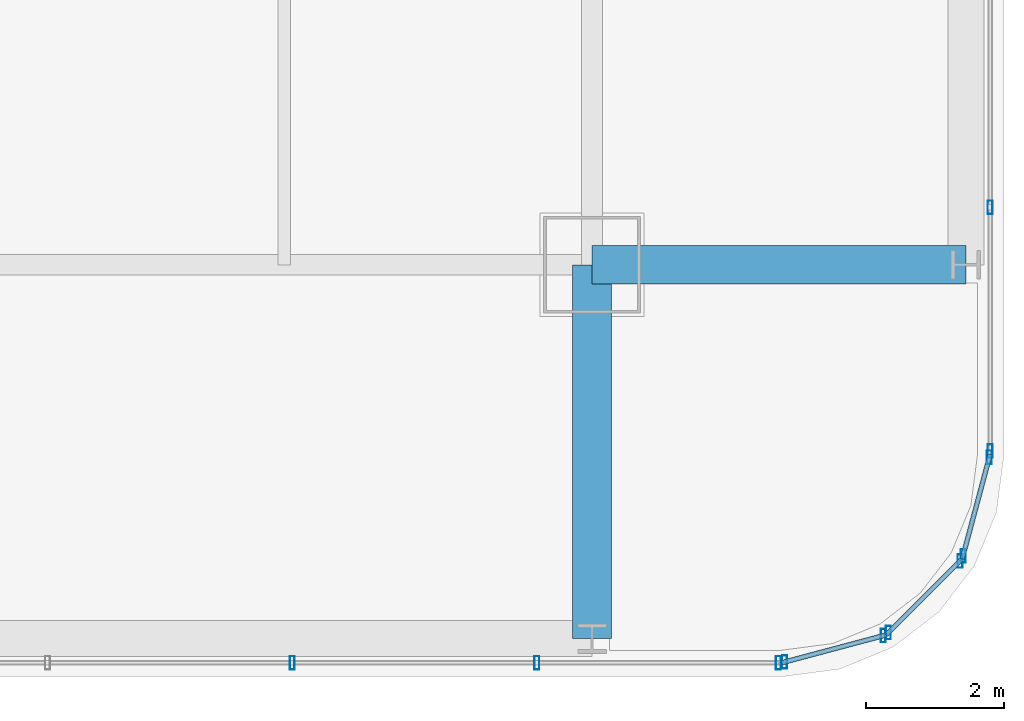
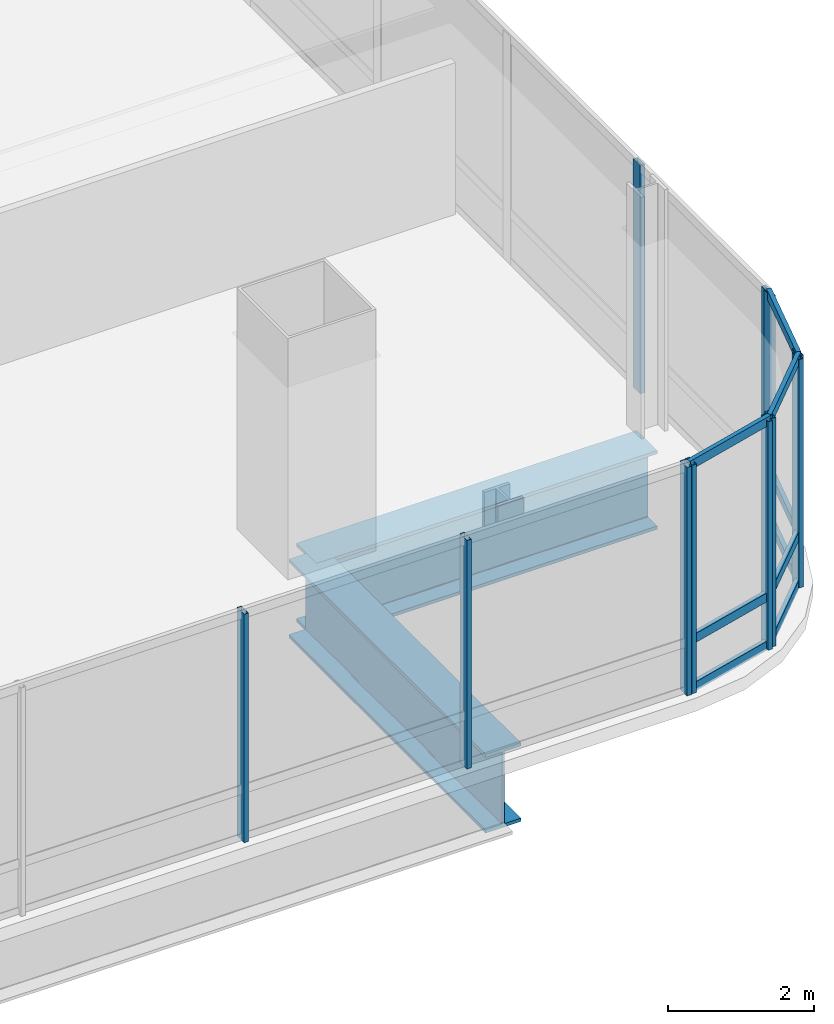
# One storey, part 13 of 36: 20 members, 2 beams, 5 elements without a shape of their own.
"""IFC4 building model written with IfcOpenShell, lengths in metres."""

from ifc_helpers import new_model, si_unit, direction, frame, origin, origin_2d, place, context, subcontext, project, spatial, hollow_rectangle, i_section, extrude, material, material_profile, profile_set, type_object, element, aggregate, save


model = new_model("IFC4")

# Units and contexts
model_context = context("Model", 3, precision=1e-05, world=origin(), true_north=direction((0.0, 1.0)))
body_context = subcontext(model_context, "Body", "Model", "MODEL_VIEW")
ifc_project = project(units=[si_unit("LENGTHUNIT", "METRE"), si_unit("AREAUNIT", "SQUARE_METRE"), si_unit("VOLUMEUNIT", "CUBIC_METRE"), si_unit("PLANEANGLEUNIT", "RADIAN"), si_unit("MASSUNIT", "GRAM", prefix="KILO")], contexts=[model_context])

# Site, building, storey
site_placement = place(None, origin())
site = spatial("IfcSite", under=ifc_project, at=site_placement, CompositionType="ELEMENT")
building_placement = place(site_placement, origin())
building = spatial("IfcBuilding", under=site, at=building_placement, Name="Punatoya Terracotta Tower", CompositionType="ELEMENT")
storey_placement = place(building_placement, frame((0.0, 0.0, 212.699951171875)))
storey = spatial("IfcBuildingStorey", under=building, at=storey_placement, Name="L50", CompositionType="ELEMENT", Elevation=212.699951171875)

# Beams
ifc_material_1 = material(Name="Steel S460", Category="steel")
ifc_material_profile_1 = material_profile(ifc_material_1, i_section(OverallWidth=0.56005859375, OverallDepth=1.320068359375, WebThickness=0.035888671875, FlangeThickness=0.054931640625, FilletRadius=0.01806640625, at=origin_2d()))
ifc_profile_set_1 = profile_set([ifc_material_profile_1], Name="Steel S460")
beam_type = type_object("IfcBeamType", Name="BM-TG-BLK", PredefinedType="BEAM", material=ifc_profile_set_1)
for number, where, z_axis, x_axis, name in (
    (1, (19.10009765625, -17.5, -0.8798828125), (1.0, 0.0, 0.0), (0.0, 1.0, 0.0), "BM-L50-CANT-E1"),
    (2, (19.10009765625, -22.89990234375, -0.8798828125), (0.0, 1.0, 0.0), (-1.0, 0.0, 0.0), "BM-L50-CANT-S4"),
):
    element("IfcBeam", number, at=place(storey_placement, frame(where, z_axis=z_axis, x_axis=x_axis)), inside=storey, type_object=beam_type, Name=name, PredefinedType="BEAM", context=body_context, shape_type="SweptSolid", body=[
        extrude(i_section(OverallWidth=0.56005859375, OverallDepth=1.320068359375, WebThickness=0.035888671875, FlangeThickness=0.054931640625, FilletRadius=0.01806640625, at=origin_2d()), origin(), (0.0, 0.0, 1.0), 5.39990234375),
    ])

# Curtain wall, members
ifc_material_2 = material(Name="Aluminium 6063-T6 + Double Low-E Glass", Category="aluminium")
curtain_wall_type = type_object("IfcCurtainWallType", Name="CW-M2", PredefinedType="NOTDEFINED", material=ifc_material_2)
curtain_wall_1_placement = place(storey_placement, origin())
curtain_wall_1 = element("IfcCurtainWall", 3, at=curtain_wall_1_placement, inside=storey, type_object=curtain_wall_type, Name="L50 Curtain Wall CW-L50-S01-1", PredefinedType="NOTDEFINED")
ifc_material_3 = material(Name="Aluminium 6063-T6", Category="aluminium")
ifc_material_profile_2 = material_profile(ifc_material_3, hollow_rectangle(XDim=0.072021484375, YDim=0.195068359375, WallThickness=0.00439453125, at=origin_2d()))
ifc_profile_set_2 = profile_set([ifc_material_profile_2], Name="Aluminium 6063-T6")
member_type_1 = type_object("IfcMemberType", Name="CW-MUL-M2", PredefinedType="MULLION", material=ifc_profile_set_2)
member_1_placement = place(storey_placement, frame((14.768798828125, -23.25, 0.0), z_axis=(0.0, 0.0, 1.0), x_axis=(1.0, 0.0, 0.0)))
member_1 = element("IfcMember", 4, at=member_1_placement, type_object=member_type_1, Name="CW-L50-S01-1 Mullion 09", PredefinedType="MULLION", context=body_context, shape_type="SweptSolid", body=[
    extrude(hollow_rectangle(XDim=0.072021484375, YDim=0.195068359375, WallThickness=0.00439453125, at=origin_2d()), origin(), (0.0, 0.0, 1.0), 3.830078125),
])
member_2_placement = place(storey_placement, frame((18.302978515625, -23.25, 0.0), z_axis=(0.0, 0.0, 1.0), x_axis=(1.0, 0.0, 0.0)))
member_2 = element("IfcMember", 5, at=member_2_placement, type_object=member_type_1, Name="CW-L50-S01-1 Mullion 10", PredefinedType="MULLION", context=body_context, shape_type="SweptSolid", body=[
    extrude(hollow_rectangle(XDim=0.072021484375, YDim=0.195068359375, WallThickness=0.00439453125, at=origin_2d()), origin(), (0.0, 0.0, 1.0), 3.830078125),
])
member_3_placement = place(storey_placement, frame((21.7919921875, -23.25, 0.0), z_axis=(0.0, 0.0, 1.0), x_axis=(1.0, 0.0, 0.0)))
member_3 = element("IfcMember", 6, at=member_3_placement, type_object=member_type_1, Name="CW-L50-S01-1 Mullion 11", PredefinedType="MULLION", context=body_context, shape_type="SweptSolid", body=[
    extrude(hollow_rectangle(XDim=0.072021484375, YDim=0.195068359375, WallThickness=0.00439453125, at=origin_2d()), origin(), (0.0, 0.0, 1.0), 3.830078125),
])
aggregate(curtain_wall_1, [member_1, member_2, member_3])

curtain_wall_2_placement = place(storey_placement, origin())
curtain_wall_2 = element("IfcCurtainWall", 7, at=curtain_wall_2_placement, inside=storey, type_object=curtain_wall_type, Name="L50 Curtain Wall CW-L50-CRN02", PredefinedType="NOTDEFINED")
member_4_placement = place(storey_placement, frame((21.88037109375, -23.23828125, 0.0), z_axis=(0.0, 0.0, 1.0), x_axis=(1.0, 0.0, 0.0)))
member_4 = element("IfcMember", 8, at=member_4_placement, type_object=member_type_1, Name="CW-L50-CRN02 Mullion 00", PredefinedType="MULLION", context=body_context, shape_type="SweptSolid", body=[
    extrude(hollow_rectangle(XDim=0.072021484375, YDim=0.195068359375, WallThickness=0.00439453125, at=origin_2d()), origin(), (0.0, 0.0, 1.0), 3.830078125),
])
member_5_placement = place(storey_placement, frame((23.3056640625, -22.858154296875, 0.0), z_axis=(0.0, 0.0, 1.0), x_axis=(1.0, 0.0, 0.0)))
member_5 = element("IfcMember", 9, at=member_5_placement, type_object=member_type_1, Name="CW-L50-CRN02 Mullion 01", PredefinedType="MULLION", context=body_context, shape_type="SweptSolid", body=[
    extrude(hollow_rectangle(XDim=0.072021484375, YDim=0.195068359375, WallThickness=0.00439453125, at=origin_2d()), origin(), (0.0, 0.0, 1.0), 3.830078125),
])

curtain_wall_3_placement = place(storey_placement, origin())
curtain_wall_3 = element("IfcCurtainWall", 10, at=curtain_wall_3_placement, inside=storey, type_object=curtain_wall_type, Name="L50 Curtain Wall CW-L50-CRN03", PredefinedType="NOTDEFINED")
member_6_placement = place(storey_placement, frame((23.380859375, -22.814697265625, 0.0), z_axis=(0.0, 0.0, 1.0), x_axis=(1.0, 0.0, 0.0)))
member_6 = element("IfcMember", 11, at=member_6_placement, type_object=member_type_1, Name="CW-L50-CRN03 Mullion 00", PredefinedType="MULLION", context=body_context, shape_type="SweptSolid", body=[
    extrude(hollow_rectangle(XDim=0.072021484375, YDim=0.195068359375, WallThickness=0.00439453125, at=origin_2d()), origin(), (0.0, 0.0, 1.0), 3.830078125),
])
member_7_placement = place(storey_placement, frame((24.414794921875, -21.781005859375, 0.0), z_axis=(0.0, 0.0, 1.0), x_axis=(1.0, 0.0, 0.0)))
member_7 = element("IfcMember", 12, at=member_7_placement, type_object=member_type_1, Name="CW-L50-CRN03 Mullion 01", PredefinedType="MULLION", context=body_context, shape_type="SweptSolid", body=[
    extrude(hollow_rectangle(XDim=0.072021484375, YDim=0.195068359375, WallThickness=0.00439453125, at=origin_2d()), origin(), (0.0, 0.0, 1.0), 3.830078125),
])

curtain_wall_4_placement = place(storey_placement, origin())
curtain_wall_4 = element("IfcCurtainWall", 13, at=curtain_wall_4_placement, inside=storey, type_object=curtain_wall_type, Name="L50 Curtain Wall CW-L50-CRN04", PredefinedType="NOTDEFINED")
member_8_placement = place(storey_placement, frame((24.458251953125, -21.70556640625, 0.0), z_axis=(0.0, 0.0, 1.0), x_axis=(1.0, 0.0, 0.0)))
member_8 = element("IfcMember", 14, at=member_8_placement, type_object=member_type_1, Name="CW-L50-CRN04 Mullion 00", PredefinedType="MULLION", context=body_context, shape_type="SweptSolid", body=[
    extrude(hollow_rectangle(XDim=0.072021484375, YDim=0.195068359375, WallThickness=0.00439453125, at=origin_2d()), origin(), (0.0, 0.0, 1.0), 3.830078125),
])
member_9_placement = place(storey_placement, frame((24.83837890625, -20.280517578125, 0.0), z_axis=(0.0, 0.0, 1.0), x_axis=(1.0, 0.0, 0.0)))
member_9 = element("IfcMember", 15, at=member_9_placement, type_object=member_type_1, Name="CW-L50-CRN04 Mullion 01", PredefinedType="MULLION", context=body_context, shape_type="SweptSolid", body=[
    extrude(hollow_rectangle(XDim=0.072021484375, YDim=0.195068359375, WallThickness=0.00439453125, at=origin_2d()), origin(), (0.0, 0.0, 1.0), 3.830078125),
])

curtain_wall_5_placement = place(storey_placement, origin())
curtain_wall_5 = element("IfcCurtainWall", 16, at=curtain_wall_5_placement, inside=storey, type_object=curtain_wall_type, Name="L50 Curtain Wall CW-L50-E05-1", PredefinedType="NOTDEFINED")
member_10_placement = place(storey_placement, frame((24.85009765625, -20.19189453125, 0.0), z_axis=(0.0, 0.0, 1.0), x_axis=(1.0, 0.0, 0.0)))
member_10 = element("IfcMember", 17, at=member_10_placement, type_object=member_type_1, Name="CW-L50-E05-1 Mullion 00", PredefinedType="MULLION", context=body_context, shape_type="SweptSolid", body=[
    extrude(hollow_rectangle(XDim=0.072021484375, YDim=0.195068359375, WallThickness=0.00439453125, at=origin_2d()), origin(), (0.0, 0.0, 1.0), 3.830078125),
])
member_11_placement = place(storey_placement, frame((24.85009765625, -16.66943359375, 0.0), z_axis=(0.0, 0.0, 1.0), x_axis=(1.0, 0.0, 0.0)))
member_11 = element("IfcMember", 18, at=member_11_placement, type_object=member_type_1, Name="CW-L50-E05-1 Mullion 01", PredefinedType="MULLION", context=body_context, shape_type="SweptSolid", body=[
    extrude(hollow_rectangle(XDim=0.072021484375, YDim=0.195068359375, WallThickness=0.00439453125, at=origin_2d()), origin(), (0.0, 0.0, 1.0), 3.830078125),
])
aggregate(curtain_wall_5, [member_10, member_11])

# Member
ifc_material_profile_3 = material_profile(ifc_material_3, hollow_rectangle(XDim=0.068115234375, YDim=0.14990234375, WallThickness=0.00390625, at=origin_2d()))
ifc_profile_set_3 = profile_set([ifc_material_profile_3], Name="Aluminium 6063-T6")
member_type_2 = type_object("IfcMemberType", Name="CW-TRN-TYP", PredefinedType="USERDEFINED", material=ifc_profile_set_3)
member_12_placement = place(storey_placement, frame((21.8369140625, -23.25, 0.0400390625), z_axis=(0.966224582397, 0.257701486942, 0.0), x_axis=(-0.257701486942, 0.966224582397, 0.0)))
member_12 = element("IfcMember", 19, at=member_12_placement, type_object=member_type_2, Name="CW-L50-CRN02 Transom 1", ObjectType="TRANSOM", PredefinedType="USERDEFINED", context=body_context, shape_type="SweptSolid", body=[
    extrude(hollow_rectangle(XDim=0.068115234375, YDim=0.14990234375, WallThickness=0.00390625, at=origin_2d()), origin(), (0.0, 0.0, 1.0), 1.565185546875),
])

member_13_placement = place(storey_placement, frame((21.8369140625, -23.25, 0.85009765625), z_axis=(0.966224582397, 0.257701486942, 0.0), x_axis=(-0.257701486942, 0.966224582397, 0.0)))
member_13 = element("IfcMember", 20, at=member_13_placement, type_object=member_type_2, Name="CW-L50-CRN02 Transom 2", ObjectType="TRANSOM", PredefinedType="USERDEFINED", context=body_context, shape_type="SweptSolid", body=[
    extrude(hollow_rectangle(XDim=0.068115234375, YDim=0.14990234375, WallThickness=0.00390625, at=origin_2d()), origin(), (0.0, 0.0, 1.0), 1.565185546875),
])

member_14_placement = place(storey_placement, frame((21.8369140625, -23.25, 3.7900390625), z_axis=(0.966224582397, 0.257701486942, 0.0), x_axis=(-0.257701486942, 0.966224582397, 0.0)))
member_14 = element("IfcMember", 21, at=member_14_placement, type_object=member_type_2, Name="CW-L50-CRN02 Transom 3", ObjectType="TRANSOM", PredefinedType="USERDEFINED", context=body_context, shape_type="SweptSolid", body=[
    extrude(hollow_rectangle(XDim=0.068115234375, YDim=0.14990234375, WallThickness=0.00390625, at=origin_2d()), origin(), (0.0, 0.0, 1.0), 1.565185546875),
])

aggregate(curtain_wall_2, [member_4, member_5, member_12, member_13, member_14])

member_15_placement = place(storey_placement, frame((23.34912109375, -22.8466796875, 0.0400390625), z_axis=(0.707028130747, 0.707185422879, 0.0), x_axis=(-0.707185422879, 0.707028130747, 0.0)))
member_15 = element("IfcMember", 22, at=member_15_placement, type_object=member_type_2, Name="CW-L50-CRN03 Transom 1", ObjectType="TRANSOM", PredefinedType="USERDEFINED", context=body_context, shape_type="SweptSolid", body=[
    extrude(hollow_rectangle(XDim=0.068115234375, YDim=0.14990234375, WallThickness=0.00390625, at=origin_2d()), origin(), (0.0, 0.0, 1.0), 1.55224609375),
])

member_16_placement = place(storey_placement, frame((23.34912109375, -22.8466796875, 0.85009765625), z_axis=(0.707028130747, 0.707185422879, 0.0), x_axis=(-0.707185422879, 0.707028130747, 0.0)))
member_16 = element("IfcMember", 23, at=member_16_placement, type_object=member_type_2, Name="CW-L50-CRN03 Transom 2", ObjectType="TRANSOM", PredefinedType="USERDEFINED", context=body_context, shape_type="SweptSolid", body=[
    extrude(hollow_rectangle(XDim=0.068115234375, YDim=0.14990234375, WallThickness=0.00390625, at=origin_2d()), origin(), (0.0, 0.0, 1.0), 1.55224609375),
])

member_17_placement = place(storey_placement, frame((23.34912109375, -22.8466796875, 3.7900390625), z_axis=(0.707028130747, 0.707185422879, 0.0), x_axis=(-0.707185422879, 0.707028130747, 0.0)))
member_17 = element("IfcMember", 24, at=member_17_placement, type_object=member_type_2, Name="CW-L50-CRN03 Transom 3", ObjectType="TRANSOM", PredefinedType="USERDEFINED", context=body_context, shape_type="SweptSolid", body=[
    extrude(hollow_rectangle(XDim=0.068115234375, YDim=0.14990234375, WallThickness=0.00390625, at=origin_2d()), origin(), (0.0, 0.0, 1.0), 1.55224609375),
])

aggregate(curtain_wall_3, [member_6, member_7, member_15, member_16, member_17])

member_18_placement = place(storey_placement, frame((24.446533203125, -21.7490234375, 0.0400390625), z_axis=(0.257847112249, 0.966185730957, 0.0), x_axis=(-0.966185730957, 0.257847112249, 0.0)))
member_18 = element("IfcMember", 25, at=member_18_placement, type_object=member_type_2, Name="CW-L50-CRN04 Transom 1", ObjectType="TRANSOM", PredefinedType="USERDEFINED", context=body_context, shape_type="SweptSolid", body=[
    extrude(hollow_rectangle(XDim=0.068115234375, YDim=0.14990234375, WallThickness=0.00390625, at=origin_2d()), origin(), (0.0, 0.0, 1.0), 1.565185546875),
])

member_19_placement = place(storey_placement, frame((24.446533203125, -21.7490234375, 0.85009765625), z_axis=(0.257847112249, 0.966185730957, 0.0), x_axis=(-0.966185730957, 0.257847112249, 0.0)))
member_19 = element("IfcMember", 26, at=member_19_placement, type_object=member_type_2, Name="CW-L50-CRN04 Transom 2", ObjectType="TRANSOM", PredefinedType="USERDEFINED", context=body_context, shape_type="SweptSolid", body=[
    extrude(hollow_rectangle(XDim=0.068115234375, YDim=0.14990234375, WallThickness=0.00390625, at=origin_2d()), origin(), (0.0, 0.0, 1.0), 1.565185546875),
])

member_20_placement = place(storey_placement, frame((24.446533203125, -21.7490234375, 3.7900390625), z_axis=(0.257847112249, 0.966185730957, 0.0), x_axis=(-0.966185730957, 0.257847112249, 0.0)))
member_20 = element("IfcMember", 27, at=member_20_placement, type_object=member_type_2, Name="CW-L50-CRN04 Transom 3", ObjectType="TRANSOM", PredefinedType="USERDEFINED", context=body_context, shape_type="SweptSolid", body=[
    extrude(hollow_rectangle(XDim=0.068115234375, YDim=0.14990234375, WallThickness=0.00390625, at=origin_2d()), origin(), (0.0, 0.0, 1.0), 1.565185546875),
])

aggregate(curtain_wall_4, [member_8, member_9, member_18, member_19, member_20])

save(model, "model.ifc")
